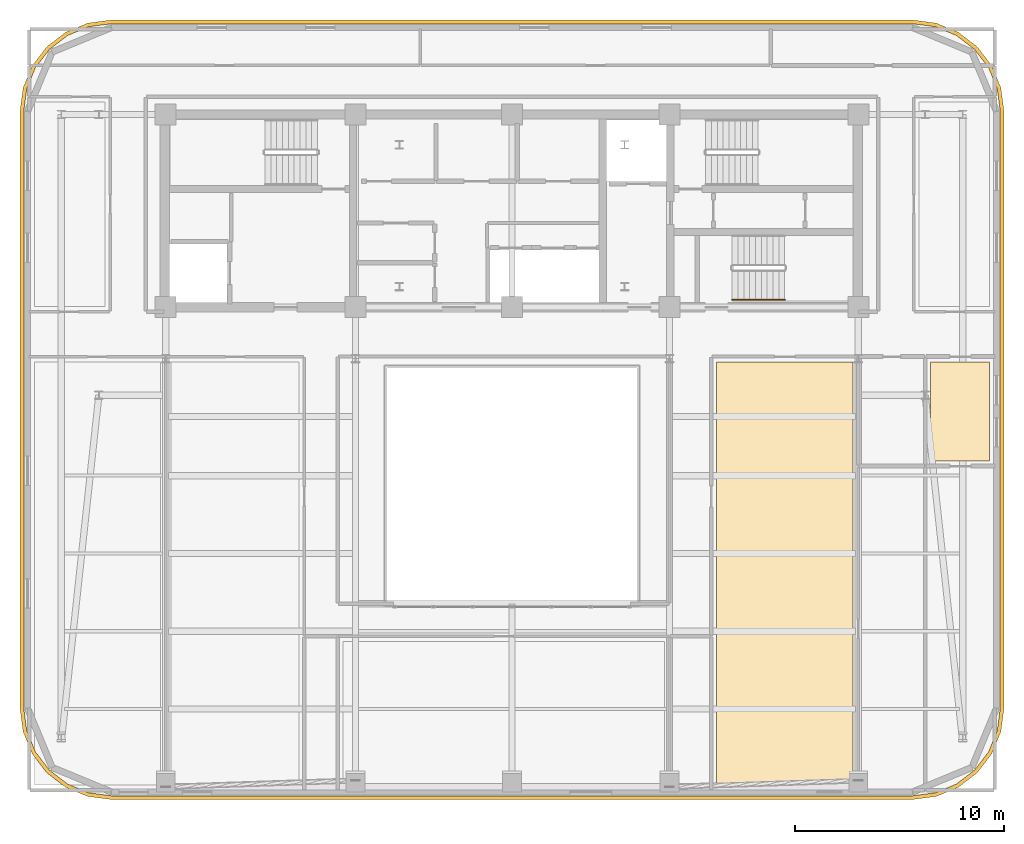
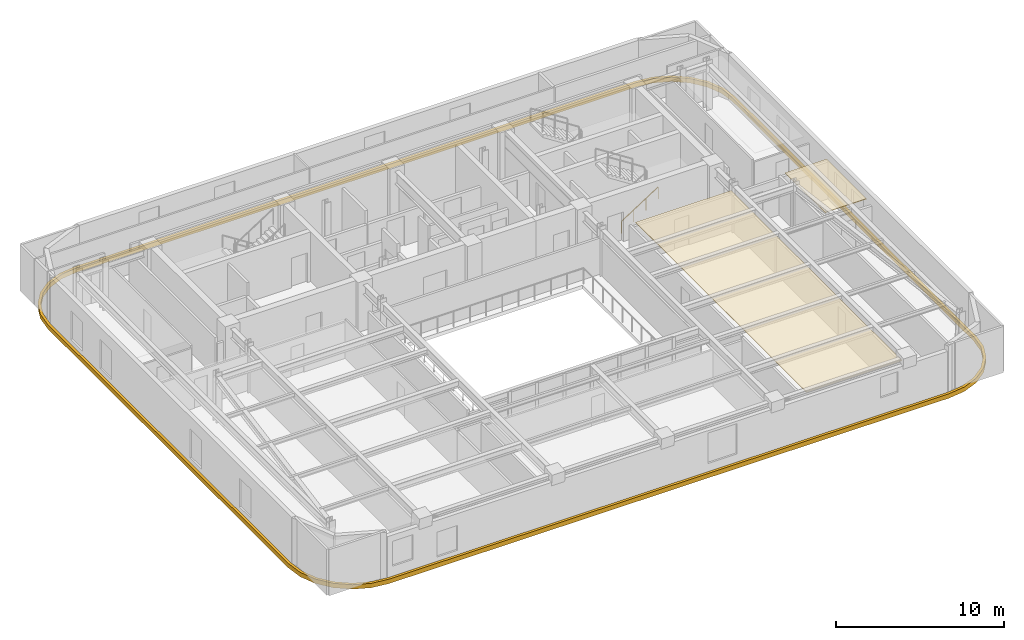
# One storey, part 12 of 13: 3 coverings, 1 railing.
"""IFC4 building model written with IfcOpenShell, lengths in metres."""

from ifc_helpers import new_model, si_unit, direction, frame, origin, origin_2d, place, context, subcontext, project, spatial, polyline, rectangle, outline, extrude, material, layer, layer_set, type_object, element, save


model = new_model("IFC4")

# Units and contexts
model_context = context("Model", 3, precision=1e-05, world=origin(), true_north=direction((0.0, 1.0)))
body_context = subcontext(model_context, "Body", "Model", "MODEL_VIEW")
ifc_project = project(units=[si_unit("LENGTHUNIT", "METRE"), si_unit("AREAUNIT", "SQUARE_METRE"), si_unit("VOLUMEUNIT", "CUBIC_METRE"), si_unit("PLANEANGLEUNIT", "RADIAN"), si_unit("MASSUNIT", "GRAM", prefix="KILO")], contexts=[model_context])

# Site, building, storey
site_placement = place(None, origin())
site = spatial("IfcSite", under=ifc_project, at=site_placement, CompositionType="ELEMENT")
building_placement = place(site_placement, origin())
building = spatial("IfcBuilding", under=site, at=building_placement, Name="Zarnavel Station Tower", CompositionType="ELEMENT")
storey_placement = place(building_placement, frame((0.0, 0.0, 232.800048828125)))
storey = spatial("IfcBuildingStorey", under=building, at=storey_placement, Name="L63", CompositionType="ELEMENT", Elevation=232.800048828125)

# Coverings
ifc_material_1 = material(Name="Perforated Gypsum and Mineral-Wool Acoustic Ceiling", Category="concrete")
ifc_layer = layer(ifc_material_1, 0.0400390625)
ifc_layer_set = layer_set([ifc_layer], Name="COV_CEIL_ACOUSTIC")
covering_type_1 = type_object("IfcCoveringType", Name="COV_CEIL_ACOUSTIC", PredefinedType="CEILING", material=ifc_layer_set)
covering_1_placement = place(storey_placement, frame((0.0, 0.0, 3.02001953125)))
element("IfcCovering", 1, at=covering_1_placement, inside=storey, type_object=covering_type_1, Name="L63 L63SPA Acoustic Ceiling", PredefinedType="CEILING", context=body_context, shape_type="SweptSolid", body=[
    extrude(outline(polyline([(38.60009765625, 4.909912109375), (45.14990234375, 4.909912109375), (45.14990234375, 25.199951171875), (38.60009765625, 25.199951171875), (38.60009765625, 4.909912109375)])), origin(), (0.0, 0.0, 1.0), 0.0400390625),
])
covering_2_placement = place(storey_placement, frame((0.0, 0.0, 3.02001953125)))
element("IfcCovering", 2, at=covering_2_placement, inside=storey, type_object=covering_type_1, Name="L63 L63KIT Acoustic Ceiling", PredefinedType="CEILING", context=body_context, shape_type="SweptSolid", body=[
    extrude(outline(polyline([(48.85009765625, 20.449951171875), (51.68994140625, 20.449951171875), (51.68994140625, 25.199951171875), (48.85009765625, 25.199951171875), (48.85009765625, 20.449951171875)])), origin(), (0.0, 0.0, 1.0), 0.0400390625),
])
ifc_material_2 = material(Name="Precast concrete C45/55 (Pale Travertine Slab Band)", Category="masonry")
covering_type_2 = type_object("IfcCoveringType", Name="COV_TRAVERTINE_BAND", PredefinedType="CLADDING", material=ifc_material_2)
covering_3_placement = place(storey_placement, frame((0.0, 0.0, -0.260009765625)))
element("IfcCovering", 3, at=covering_3_placement, inside=storey, type_object=covering_type_2, Name="L63 Pale Travertine Slab-Edge Band", PredefinedType="CLADDING", context=body_context, shape_type="SweptSolid", body=[
    extrude(outline(polyline([(48.0, 4.219970703125), (49.133544921875, 4.369140625), (50.18994140625, 4.806884765625), (51.09716796875, 5.5029296875), (51.793212890625, 6.409912109375), (52.230712890625, 7.46630859375), (52.3798828125, 8.60009765625), (52.3798828125, 37.199951171875), (52.230712890625, 38.33349609375), (51.793212890625, 39.389892578125), (51.09716796875, 40.297119140625), (50.18994140625, 40.9931640625), (49.133544921875, 41.430908203125), (48.0, 41.580078125), (9.60009765625, 41.580078125), (8.46630859375, 41.430908203125), (7.409912109375, 40.9931640625), (6.5029296875, 40.297119140625), (5.806884765625, 39.389892578125), (5.369140625, 38.33349609375), (5.219970703125, 37.199951171875), (5.219970703125, 8.60009765625), (5.369140625, 7.46630859375), (5.806884765625, 6.409912109375), (6.5029296875, 5.5029296875), (7.409912109375, 4.806884765625), (8.46630859375, 4.369140625), (9.60009765625, 4.219970703125), (48.0, 4.219970703125)]), holes=[polyline([(48.0, 4.39990234375), (49.0869140625, 4.543212890625), (50.10009765625, 4.962646484375), (50.9697265625, 5.630126953125), (51.63720703125, 6.5), (52.056884765625, 7.512939453125), (52.199951171875, 8.60009765625), (52.199951171875, 37.199951171875), (52.056884765625, 38.287109375), (51.63720703125, 39.300048828125), (50.9697265625, 40.169921875), (50.10009765625, 40.83740234375), (49.0869140625, 41.2568359375), (48.0, 41.39990234375), (9.60009765625, 41.39990234375), (8.512939453125, 41.2568359375), (7.5, 40.83740234375), (6.630126953125, 40.169921875), (5.962646484375, 39.300048828125), (5.543212890625, 38.287109375), (5.39990234375, 37.199951171875), (5.39990234375, 8.60009765625), (5.543212890625, 7.512939453125), (5.962646484375, 6.5), (6.630126953125, 5.630126953125), (7.5, 4.962646484375), (8.512939453125, 4.543212890625), (9.60009765625, 4.39990234375), (48.0, 4.39990234375)])]), origin(), (0.0, 0.0, 1.0), 0.320068359375),
])

# Railing
ifc_material_3 = material(Name="Brushed Stainless Steel S355J2 Handrail", Category="steel")
railing_type = type_object("IfcRailingType", Name="HR_STAIR_900", PredefinedType="HANDRAIL", material=ifc_material_3)
railing_placement = place(storey_placement, frame((39.35009765625, 28.169921875, 0.179931640625)))
element("IfcRailing", 4, at=railing_placement, inside=storey, type_object=railing_type, Name="L63 ST3 stair handrail 1", PredefinedType="HANDRAIL", context=body_context, shape_type="SweptSolid", body=[
    extrude(rectangle(XDim=0.048095703125, YDim=0.048095703125, at=origin_2d()), frame((0.001708984375, 0.0, 0.876953125), z_axis=(0.841162588446, 0.0, 0.540782303519), x_axis=(0.0, 1.0, 0.0)), (0.0, 0.0, 1.0), 2.991943359375),
    extrude(rectangle(XDim=0.0419921875, YDim=0.0419921875, at=origin_2d()), origin(), (0.0, 0.0, 1.0), 0.851806640625),
    extrude(rectangle(XDim=0.0419921875, YDim=0.0419921875, at=origin_2d()), frame((0.840087890625, 0.0, 0.5400390625)), (0.0, 0.0, 1.0), 0.851806640625),
    extrude(rectangle(XDim=0.0419921875, YDim=0.0419921875, at=origin_2d()), frame((1.679931640625, 0.0, 1.080078125)), (0.0, 0.0, 1.0), 0.851806640625),
    extrude(rectangle(XDim=0.0419921875, YDim=0.0419921875, at=origin_2d()), frame((2.52001953125, 0.0, 1.6201171875)), (0.0, 0.0, 1.0), 0.851806640625),
])

save(model, "model.ifc")
